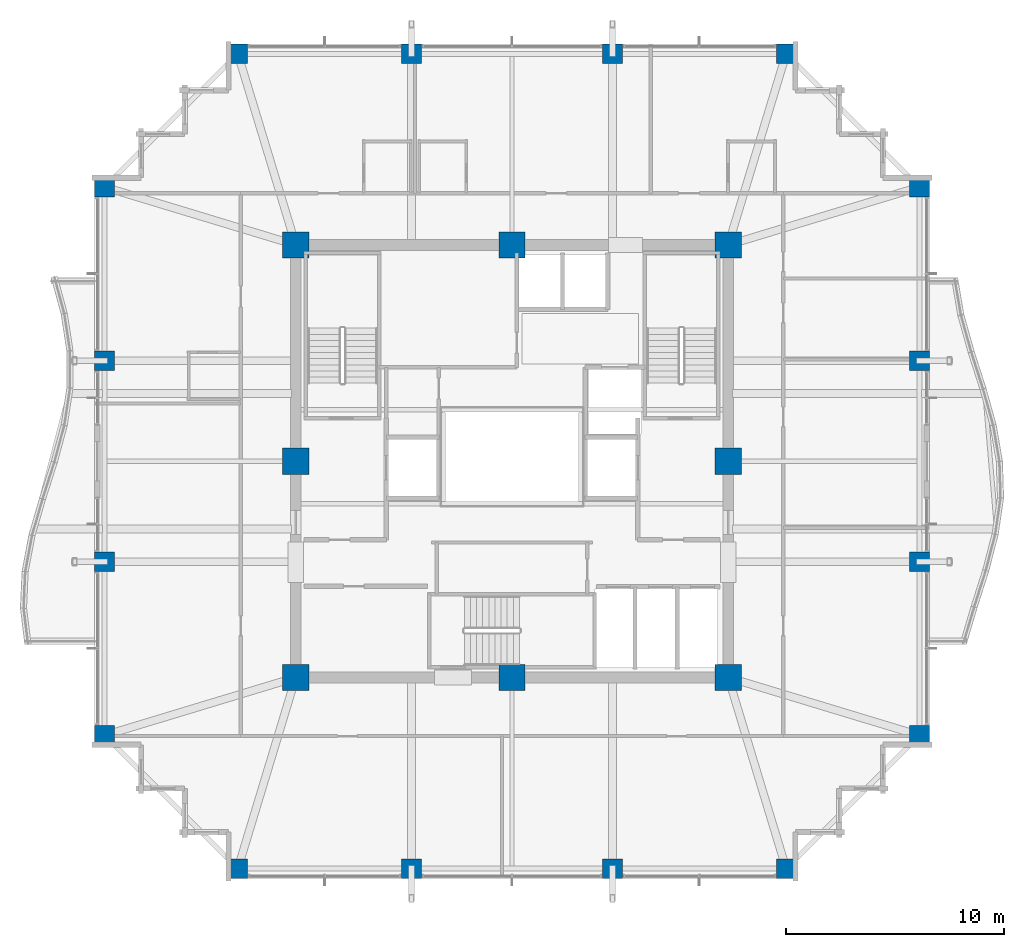
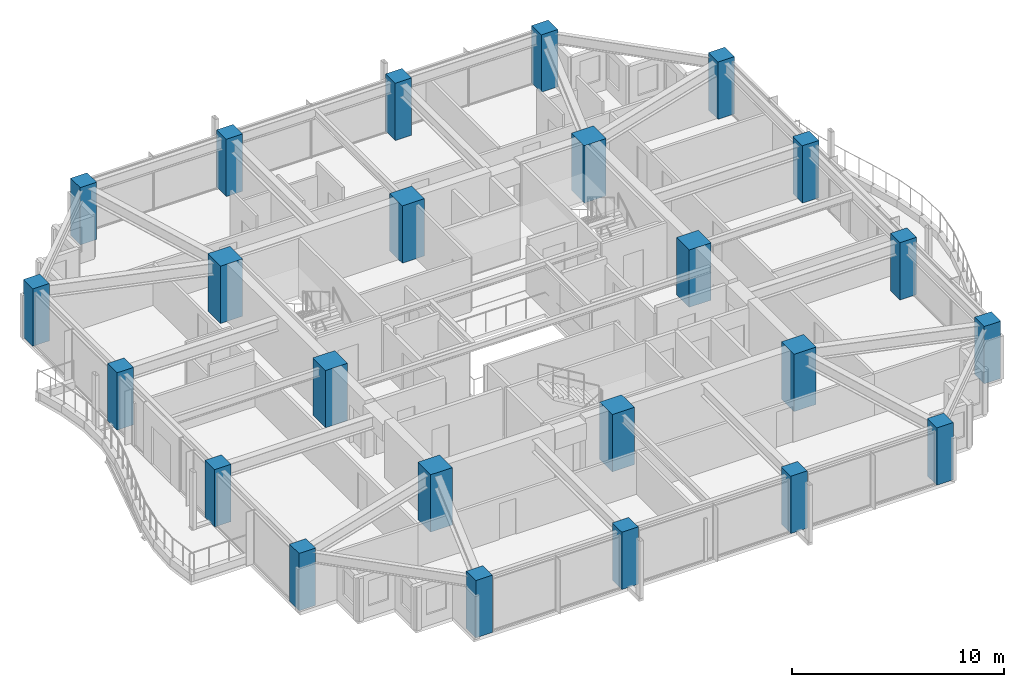
# One storey, part 1 of 35: 24 columns.
"""IFC4 building model written with IfcOpenShell, lengths in metres."""

from ifc_helpers import new_model, si_unit, direction, frame, origin, origin_2d, place, context, subcontext, project, spatial, rectangle, extrude, material, material_profile, profile_set, type_object, element, save


model = new_model("IFC4")

# Units and contexts
model_context = context("Model", 3, precision=1e-05, world=origin(), true_north=direction((0.0, 1.0)))
body_context = subcontext(model_context, "Body", "Model", "MODEL_VIEW")
ifc_project = project(units=[si_unit("LENGTHUNIT", "METRE"), si_unit("AREAUNIT", "SQUARE_METRE"), si_unit("VOLUMEUNIT", "CUBIC_METRE"), si_unit("PLANEANGLEUNIT", "RADIAN"), si_unit("MASSUNIT", "GRAM", prefix="KILO")], contexts=[model_context])

# Site, building, storey
site_placement = place(None, origin())
site = spatial("IfcSite", under=ifc_project, at=site_placement, CompositionType="ELEMENT")
building_placement = place(site_placement, origin())
building = spatial("IfcBuilding", under=site, at=building_placement, Name="Kolvaren Belvedere", CompositionType="ELEMENT")
storey_placement = place(building_placement, frame((0.0, 0.0, 163.5)))
storey = spatial("IfcBuildingStorey", under=building, at=storey_placement, Name="L47", CompositionType="ELEMENT", Elevation=163.5)

# Columns
ifc_material_1 = material(Name="Concrete C60/75", Category="concrete")
ifc_material_profile_1 = material_profile(ifc_material_1, rectangle(XDim=1.199951171875, YDim=1.199951171875, at=origin_2d()), Name="RC 1200X1200")
ifc_profile_set_1 = profile_set([ifc_material_profile_1], Name="Concrete C60/75")
column_type_1 = type_object("IfcColumnType", Name="COL-RC-1200", PredefinedType="COLUMN", material=ifc_profile_set_1)
for number, where, z_axis, x_axis, name in (
    (1, (-9.89990234375, -9.89990234375, 0.0), (0.0, 0.0, 1.0), (1.0, 0.0, 0.0), "L47 Core Column CC1"),
    (2, (9.89990234375, -9.89990234375, 0.0), (0.0, 0.0, 1.0), (1.0, 0.0, 0.0), "L47 Core Column CC2"),
    (3, (9.89990234375, 9.89990234375, 0.0), (0.0, 0.0, 1.0), (1.0, 0.0, 0.0), "L47 Core Column CC3"),
    (4, (-9.89990234375, 9.89990234375, 0.0), (0.0, 0.0, 1.0), (1.0, 0.0, 0.0), "L47 Core Column CC4"),
    (5, (0.0, -9.89990234375, 0.0), (0.0, 0.0, 1.0), (1.0, 0.0, 0.0), "L47 Core Column CM1"),
    (6, (9.89990234375, 0.0, 0.0), (0.0, 0.0, 1.0), (1.0, 0.0, 0.0), "L47 Core Column CM2"),
    (7, (0.0, 9.89990234375, 0.0), (0.0, 0.0, 1.0), (1.0, 0.0, 0.0), "L47 Core Column CM3"),
    (8, (-9.89990234375, 0.0, 0.0), (0.0, 0.0, 1.0), (1.0, 0.0, 0.0), "L47 Core Column CM4"),
):
    element("IfcColumn", number, at=place(storey_placement, frame(where, z_axis=z_axis, x_axis=x_axis)), inside=storey, type_object=column_type_1, Name=name, PredefinedType="COLUMN", context=body_context, shape_type="SweptSolid", body=[
        extrude(rectangle(XDim=1.199951171875, YDim=1.199951171875, at=origin_2d()), origin(), (0.0, 0.0, 1.0), 3.300048828125),
    ])
ifc_material_2 = material(Name="Concrete C50/60", Category="concrete")
ifc_material_profile_2 = material_profile(ifc_material_2, rectangle(XDim=0.89990234375, YDim=0.89990234375, at=origin_2d()), Name="RC 900X900")
ifc_profile_set_2 = profile_set([ifc_material_profile_2], Name="Concrete C50/60")
column_type_2 = type_object("IfcColumnType", Name="COL-RC-900", PredefinedType="COLUMN", material=ifc_profile_set_2)
for number, where, z_axis, x_axis, name in (
    (9, (-12.550048828125, -18.64990234375, 0.0), (0.0, 0.0, 1.0), (1.0, 0.0, 0.0), "L47 Perimeter Column S1"),
    (10, (-4.60009765625, -18.64990234375, 0.0), (0.0, 0.0, 1.0), (1.0, 0.0, 0.0), "L47 Perimeter Column S2"),
    (11, (4.60009765625, -18.64990234375, 0.0), (0.0, 0.0, 1.0), (1.0, 0.0, 0.0), "L47 Perimeter Column S3"),
    (12, (12.550048828125, -18.64990234375, 0.0), (0.0, 0.0, 1.0), (1.0, 0.0, 0.0), "L47 Perimeter Column S4"),
    (13, (-12.550048828125, 18.64990234375, 0.0), (0.0, 0.0, 1.0), (1.0, 0.0, 0.0), "L47 Perimeter Column N1"),
    (14, (-4.60009765625, 18.64990234375, 0.0), (0.0, 0.0, 1.0), (1.0, 0.0, 0.0), "L47 Perimeter Column N2"),
    (15, (4.60009765625, 18.64990234375, 0.0), (0.0, 0.0, 1.0), (1.0, 0.0, 0.0), "L47 Perimeter Column N3"),
    (16, (12.550048828125, 18.64990234375, 0.0), (0.0, 0.0, 1.0), (1.0, 0.0, 0.0), "L47 Perimeter Column N4"),
    (17, (-18.64990234375, -12.550048828125, 0.0), (0.0, 0.0, 1.0), (1.0, 0.0, 0.0), "L47 Perimeter Column W1"),
    (18, (-18.64990234375, -4.60009765625, 0.0), (0.0, 0.0, 1.0), (1.0, 0.0, 0.0), "L47 Perimeter Column W2"),
    (19, (-18.64990234375, 4.60009765625, 0.0), (0.0, 0.0, 1.0), (1.0, 0.0, 0.0), "L47 Perimeter Column W3"),
    (20, (-18.64990234375, 12.550048828125, 0.0), (0.0, 0.0, 1.0), (1.0, 0.0, 0.0), "L47 Perimeter Column W4"),
    (21, (18.64990234375, -12.550048828125, 0.0), (0.0, 0.0, 1.0), (1.0, 0.0, 0.0), "L47 Perimeter Column E1"),
    (22, (18.64990234375, -4.60009765625, 0.0), (0.0, 0.0, 1.0), (1.0, 0.0, 0.0), "L47 Perimeter Column E2"),
    (23, (18.64990234375, 4.60009765625, 0.0), (0.0, 0.0, 1.0), (1.0, 0.0, 0.0), "L47 Perimeter Column E3"),
    (24, (18.64990234375, 12.550048828125, 0.0), (0.0, 0.0, 1.0), (1.0, 0.0, 0.0), "L47 Perimeter Column E4"),
):
    element("IfcColumn", number, at=place(storey_placement, frame(where, z_axis=z_axis, x_axis=x_axis)), inside=storey, type_object=column_type_2, Name=name, PredefinedType="COLUMN", context=body_context, shape_type="SweptSolid", body=[
        extrude(rectangle(XDim=0.89990234375, YDim=0.89990234375, at=origin_2d()), origin(), (0.0, 0.0, 1.0), 3.300048828125),
    ])

save(model, "model.ifc")
